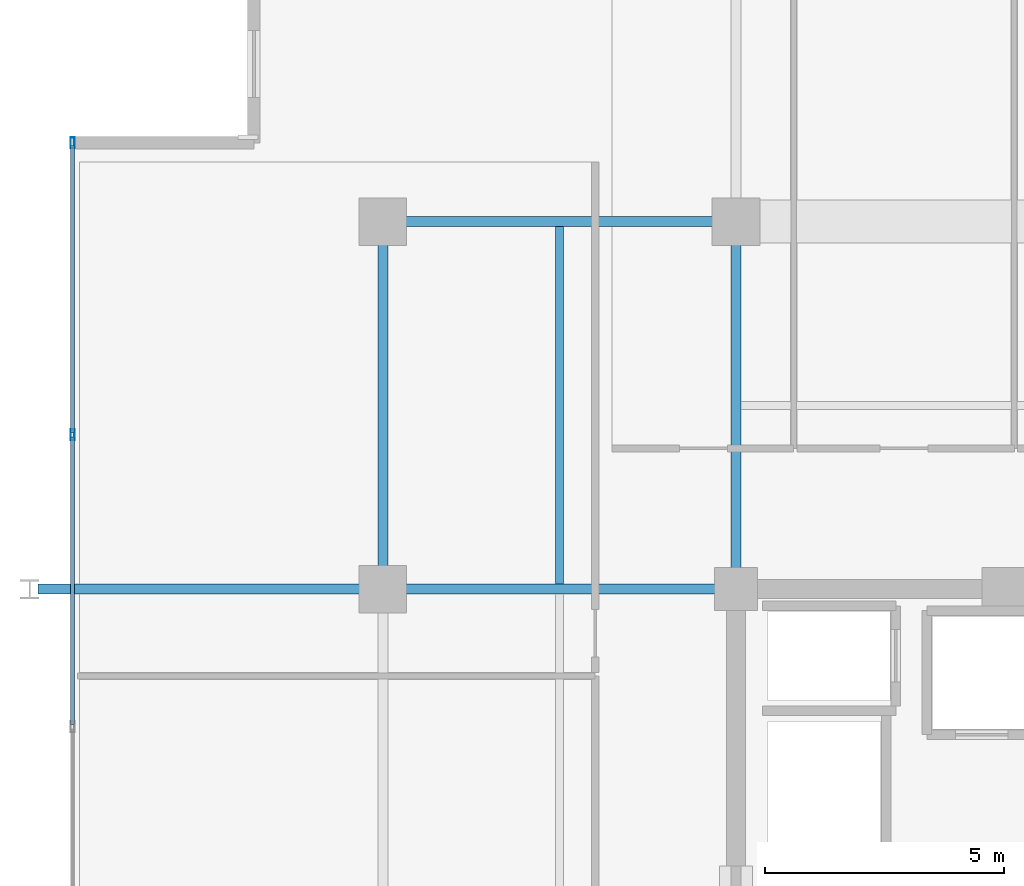
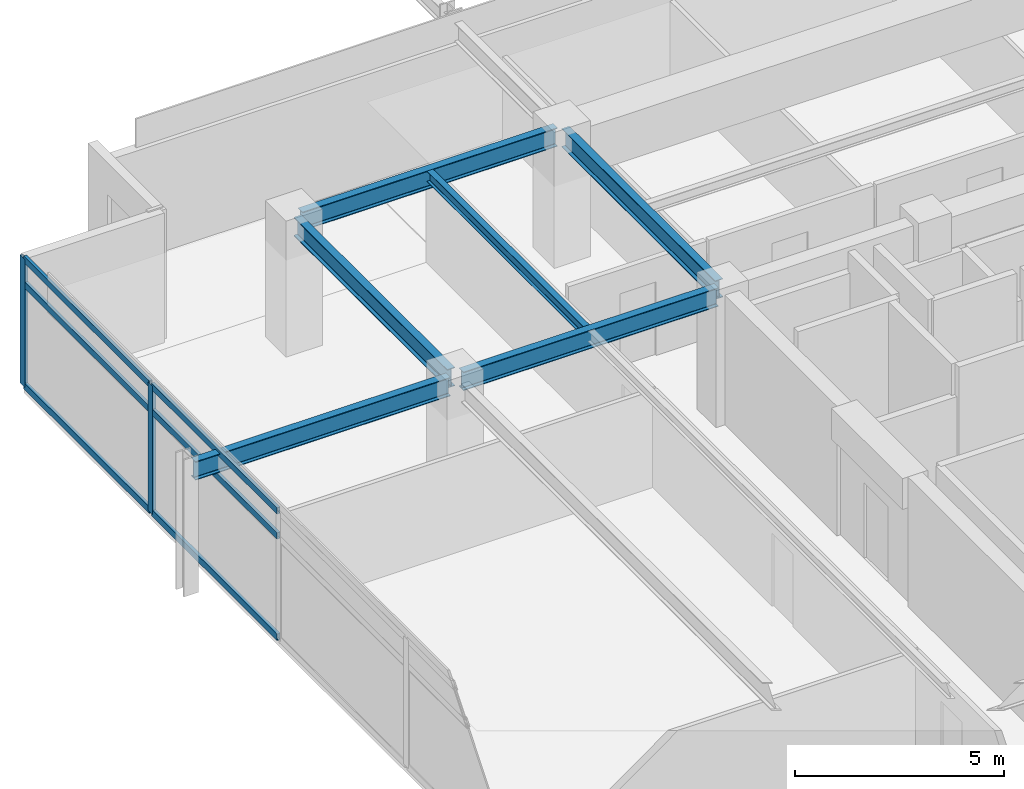
# One storey, part 9 of 20: 8 members, 6 beams, 1 element without a shape of its own.
"""IFC4 building model written with IfcOpenShell, lengths in metres."""

from ifc_helpers import new_model, si_unit, direction, frame, origin, origin_2d, place, context, subcontext, project, spatial, hollow_rectangle, i_section, extrude, material, material_profile, profile_set, type_object, element, aggregate, save


model = new_model("IFC4")

# Units and contexts
model_context = context("Model", 3, precision=1e-05, world=origin(), true_north=direction((0.0, 1.0)))
body_context = subcontext(model_context, "Body", "Model", "MODEL_VIEW")
ifc_project = project(units=[si_unit("LENGTHUNIT", "METRE"), si_unit("AREAUNIT", "SQUARE_METRE"), si_unit("VOLUMEUNIT", "CUBIC_METRE"), si_unit("PLANEANGLEUNIT", "RADIAN"), si_unit("MASSUNIT", "GRAM", prefix="KILO")], contexts=[model_context])

# Site, building, storey
site_placement = place(None, origin())
site = spatial("IfcSite", under=ifc_project, at=site_placement, CompositionType="ELEMENT")
building_placement = place(site_placement, origin())
building = spatial("IfcBuilding", under=site, at=building_placement, Name="Kovane Verandah Tower", CompositionType="ELEMENT")
storey_placement = place(building_placement, frame((0.0, 0.0, 322.800048828125)))
storey = spatial("IfcBuildingStorey", under=building, at=storey_placement, Name="L75", CompositionType="ELEMENT", Elevation=322.800048828125)

# Beams
ifc_material_1 = material(Name="Steel S355", Category="steel")
ifc_material_profile_1 = material_profile(ifc_material_1, i_section(OverallWidth=0.2119140625, OverallDepth=0.54443359375, WebThickness=0.0126953125, FlangeThickness=0.021240234375, FilletRadius=0.0126953125, at=origin_2d()), Name="UB533x210x122")
ifc_profile_set_1 = profile_set([ifc_material_profile_1], Name="Steel S355")
beam_type_1 = type_object("IfcBeamType", Name="BM-UB533x122", PredefinedType="BEAM", material=ifc_profile_set_1)
beam_1_placement = place(storey_placement, frame((21.780029296875, 44.199951171875, 3.5126953125), z_axis=(1.0, 0.0, 0.0), x_axis=(0.0, 1.0, 0.0)))
element("IfcBeam", 1, at=beam_1_placement, inside=storey, type_object=beam_type_1, Name="L75 Primary Tower Girder G-RN1", PredefinedType="BEAM", context=body_context, shape_type="SweptSolid", body=[
    extrude(i_section(OverallWidth=0.2119140625, OverallDepth=0.54443359375, WebThickness=0.0126953125, FlangeThickness=0.021240234375, FilletRadius=0.0126953125, at=origin_2d()), origin(), (0.0, 0.0, 1.0), 7.0400390625),
])
beam_2_placement = place(storey_placement, frame((21.60009765625, 36.679931640625, 3.5126953125), z_axis=(0.0, 1.0, 0.0), x_axis=(-1.0, 0.0, 0.0)))
element("IfcBeam", 2, at=beam_2_placement, inside=storey, type_object=beam_type_1, Name="L75 Primary Tower Girder G-RW3", PredefinedType="BEAM", context=body_context, shape_type="SweptSolid", body=[
    extrude(i_section(OverallWidth=0.2119140625, OverallDepth=0.54443359375, WebThickness=0.0126953125, FlangeThickness=0.021240234375, FilletRadius=0.0126953125, at=origin_2d()), origin(), (0.0, 0.0, 1.0), 7.340087890625),
])
beam_3_placement = place(storey_placement, frame((28.820068359375, 36.5, 3.5126953125), z_axis=(-1.0, 0.0, 0.0), x_axis=(0.0, -1.0, 0.0)))
element("IfcBeam", 3, at=beam_3_placement, inside=storey, type_object=beam_type_1, Name="L75 Primary Tower Girder G-W2", PredefinedType="BEAM", context=body_context, shape_type="SweptSolid", body=[
    extrude(i_section(OverallWidth=0.2119140625, OverallDepth=0.54443359375, WebThickness=0.0126953125, FlangeThickness=0.021240234375, FilletRadius=0.0126953125, at=origin_2d()), origin(), (0.0, 0.0, 1.0), 7.0400390625),
])
beam_4_placement = place(storey_placement, frame((29.0, 36.679931640625, 3.5126953125), z_axis=(0.0, 1.0, 0.0), x_axis=(-1.0, 0.0, 0.0)))
element("IfcBeam", 4, at=beam_4_placement, inside=storey, type_object=beam_type_1, Name="L75 Primary Tower Girder G-N1", PredefinedType="BEAM", context=body_context, shape_type="SweptSolid", body=[
    extrude(i_section(OverallWidth=0.2119140625, OverallDepth=0.54443359375, WebThickness=0.0126953125, FlangeThickness=0.021240234375, FilletRadius=0.0126953125, at=origin_2d()), origin(), (0.0, 0.0, 1.0), 7.340087890625),
])
beam_5_placement = place(storey_placement, frame((21.419921875, 36.5, 3.48779296875), z_axis=(-1.0, 0.0, 0.0), x_axis=(0.0, -1.0, 0.0)))
element("IfcBeam", 5, at=beam_5_placement, inside=storey, type_object=beam_type_1, Name="L75 Primary Tower Girder G-VW2", PredefinedType="BEAM", context=body_context, shape_type="SweptSolid", body=[
    extrude(i_section(OverallWidth=0.2119140625, OverallDepth=0.54443359375, WebThickness=0.0126953125, FlangeThickness=0.021240234375, FilletRadius=0.0126953125, at=origin_2d()), origin(), (0.0, 0.0, 1.0), 7.0400390625),
])

# Curtain wall, members
ifc_material_2 = material(Name="Champagne Anodised Aluminium Frame with Low-E Clear Laminated Glass", Category="aluminium")
curtain_wall_type = type_object("IfcCurtainWallType", Name="CW-SYS-05-HIGH", PredefinedType="NOTDEFINED", material=ifc_material_2)
curtain_wall_placement = place(storey_placement, origin())
curtain_wall = element("IfcCurtainWall", 6, at=curtain_wall_placement, inside=storey, type_object=curtain_wall_type, Name="L75 W Unitised Curtain Wall", PredefinedType="NOTDEFINED")
ifc_material_3 = material(Name="Champagne Anodised Aluminium 6063-T6", Category="aluminium")
ifc_material_profile_2 = material_profile(ifc_material_3, hollow_rectangle(XDim=0.0849609375, YDim=0.22998046875, WallThickness=0.00390625, at=origin_2d()), Name="AL85x230x4")
ifc_profile_set_2 = profile_set([ifc_material_profile_2], Name="Champagne Anodised Aluminium 6063-T6")
member_type_1 = type_object("IfcMemberType", Name="CW-MUL-85x230", PredefinedType="MULLION", material=ifc_profile_set_2)
member_1_placement = place(storey_placement, frame((15.10009765625, 45.85009765625, 0.02001953125), z_axis=(0.0, 0.0, 1.0), x_axis=(-1.0, 0.0, 0.0)))
member_1 = element("IfcMember", 7, at=member_1_placement, type_object=member_type_1, Name="L75 W Unitised Curtain Wall Mullion 1", PredefinedType="MULLION", context=body_context, shape_type="SweptSolid", body=[
    extrude(hollow_rectangle(XDim=0.0849609375, YDim=0.22998046875, WallThickness=0.00390625, at=origin_2d()), origin(), (0.0, 0.0, 1.0), 3.744873046875),
])
member_2_placement = place(storey_placement, frame((15.10009765625, 39.7333984375, 0.02001953125), z_axis=(0.0, 0.0, 1.0), x_axis=(-1.0, 0.0, 0.0)))
member_2 = element("IfcMember", 8, at=member_2_placement, type_object=member_type_1, Name="L75 W Unitised Curtain Wall Mullion 2", PredefinedType="MULLION", context=body_context, shape_type="SweptSolid", body=[
    extrude(hollow_rectangle(XDim=0.0849609375, YDim=0.22998046875, WallThickness=0.00390625, at=origin_2d()), origin(), (0.0, 0.0, 1.0), 3.744873046875),
])
ifc_material_profile_3 = material_profile(ifc_material_3, hollow_rectangle(XDim=0.0849609375, YDim=0.18994140625, WallThickness=0.00390625, at=origin_2d()), Name="AL85x190x4")
ifc_profile_set_3 = profile_set([ifc_material_profile_3], Name="Champagne Anodised Aluminium 6063-T6")
member_type_2 = type_object("IfcMemberType", Name="CW-TRN-85x190", PredefinedType="USERDEFINED", material=ifc_profile_set_3)
member_3_placement = place(storey_placement, frame((15.10009765625, 45.800048828125, 0.050048828125), z_axis=(0.0, -1.0, 0.0), x_axis=(1.0, 0.0, 0.0)))
member_3 = element("IfcMember", 9, at=member_3_placement, type_object=member_type_2, Name="L75 W Unitised Curtain Wall Transom TB Bay 1", ObjectType="TRANSOM", PredefinedType="USERDEFINED", context=body_context, shape_type="SweptSolid", body=[
    extrude(hollow_rectangle(XDim=0.0849609375, YDim=0.18994140625, WallThickness=0.00390625, at=origin_2d()), origin(), (0.0, 0.0, 1.0), 6.016845703125),
])
member_4_placement = place(storey_placement, frame((15.10009765625, 45.800048828125, 3.0048828125), z_axis=(0.0, -1.0, 0.0), x_axis=(1.0, 0.0, 0.0)))
member_4 = element("IfcMember", 10, at=member_4_placement, type_object=member_type_2, Name="L75 W Unitised Curtain Wall Transom TM Bay 1", ObjectType="TRANSOM", PredefinedType="USERDEFINED", context=body_context, shape_type="SweptSolid", body=[
    extrude(hollow_rectangle(XDim=0.0849609375, YDim=0.18994140625, WallThickness=0.00390625, at=origin_2d()), origin(), (0.0, 0.0, 1.0), 6.016845703125),
])
member_5_placement = place(storey_placement, frame((15.10009765625, 45.800048828125, 3.73486328125), z_axis=(0.0, -1.0, 0.0), x_axis=(1.0, 0.0, 0.0)))
member_5 = element("IfcMember", 11, at=member_5_placement, type_object=member_type_2, Name="L75 W Unitised Curtain Wall Transom TT Bay 1", ObjectType="TRANSOM", PredefinedType="USERDEFINED", context=body_context, shape_type="SweptSolid", body=[
    extrude(hollow_rectangle(XDim=0.0849609375, YDim=0.18994140625, WallThickness=0.00390625, at=origin_2d()), origin(), (0.0, 0.0, 1.0), 6.016845703125),
])
member_6_placement = place(storey_placement, frame((15.10009765625, 39.683349609375, 0.050048828125), z_axis=(0.0, -1.0, 0.0), x_axis=(1.0, 0.0, 0.0)))
member_6 = element("IfcMember", 12, at=member_6_placement, type_object=member_type_2, Name="L75 W Unitised Curtain Wall Transom TB Bay 2", ObjectType="TRANSOM", PredefinedType="USERDEFINED", context=body_context, shape_type="SweptSolid", body=[
    extrude(hollow_rectangle(XDim=0.0849609375, YDim=0.18994140625, WallThickness=0.00390625, at=origin_2d()), origin(), (0.0, 0.0, 1.0), 6.0166015625),
])
member_7_placement = place(storey_placement, frame((15.10009765625, 39.683349609375, 3.0048828125), z_axis=(0.0, -1.0, 0.0), x_axis=(1.0, 0.0, 0.0)))
member_7 = element("IfcMember", 13, at=member_7_placement, type_object=member_type_2, Name="L75 W Unitised Curtain Wall Transom TM Bay 2", ObjectType="TRANSOM", PredefinedType="USERDEFINED", context=body_context, shape_type="SweptSolid", body=[
    extrude(hollow_rectangle(XDim=0.0849609375, YDim=0.18994140625, WallThickness=0.00390625, at=origin_2d()), origin(), (0.0, 0.0, 1.0), 6.0166015625),
])
member_8_placement = place(storey_placement, frame((15.10009765625, 39.683349609375, 3.73486328125), z_axis=(0.0, -1.0, 0.0), x_axis=(1.0, 0.0, 0.0)))
member_8 = element("IfcMember", 14, at=member_8_placement, type_object=member_type_2, Name="L75 W Unitised Curtain Wall Transom TT Bay 2", ObjectType="TRANSOM", PredefinedType="USERDEFINED", context=body_context, shape_type="SweptSolid", body=[
    extrude(hollow_rectangle(XDim=0.0849609375, YDim=0.18994140625, WallThickness=0.00390625, at=origin_2d()), origin(), (0.0, 0.0, 1.0), 6.0166015625),
])
aggregate(curtain_wall, [member_1, member_2, member_3, member_4, member_5, member_6, member_7, member_8])

# Beam
ifc_material_profile_4 = material_profile(ifc_material_1, i_section(OverallWidth=0.1669921875, OverallDepth=0.310302734375, WebThickness=0.0078125, FlangeThickness=0.013671875, FilletRadius=0.0087890625, at=origin_2d()), Name="UB305x165x54")
ifc_profile_set_4 = profile_set([ifc_material_profile_4], Name="Steel S355")
beam_type_2 = type_object("IfcBeamType", Name="JST-UB305x54", PredefinedType="JOIST", material=ifc_profile_set_4)
beam_6_placement = place(storey_placement, frame((25.300048828125, 36.60400390625, 3.629638671875), z_axis=(0.0, 1.0, 0.0), x_axis=(-1.0, 0.0, 0.0)))
element("IfcBeam", 15, at=beam_6_placement, inside=storey, type_object=beam_type_2, Name="L75 Secondary Composite Joist J-NW1", PredefinedType="JOIST", context=body_context, shape_type="SweptSolid", body=[
    extrude(i_section(OverallWidth=0.1669921875, OverallDepth=0.310302734375, WebThickness=0.0078125, FlangeThickness=0.013671875, FilletRadius=0.0087890625, at=origin_2d()), origin(), (0.0, 0.0, 1.0), 7.491943359375),
])

save(model, "model.ifc")
